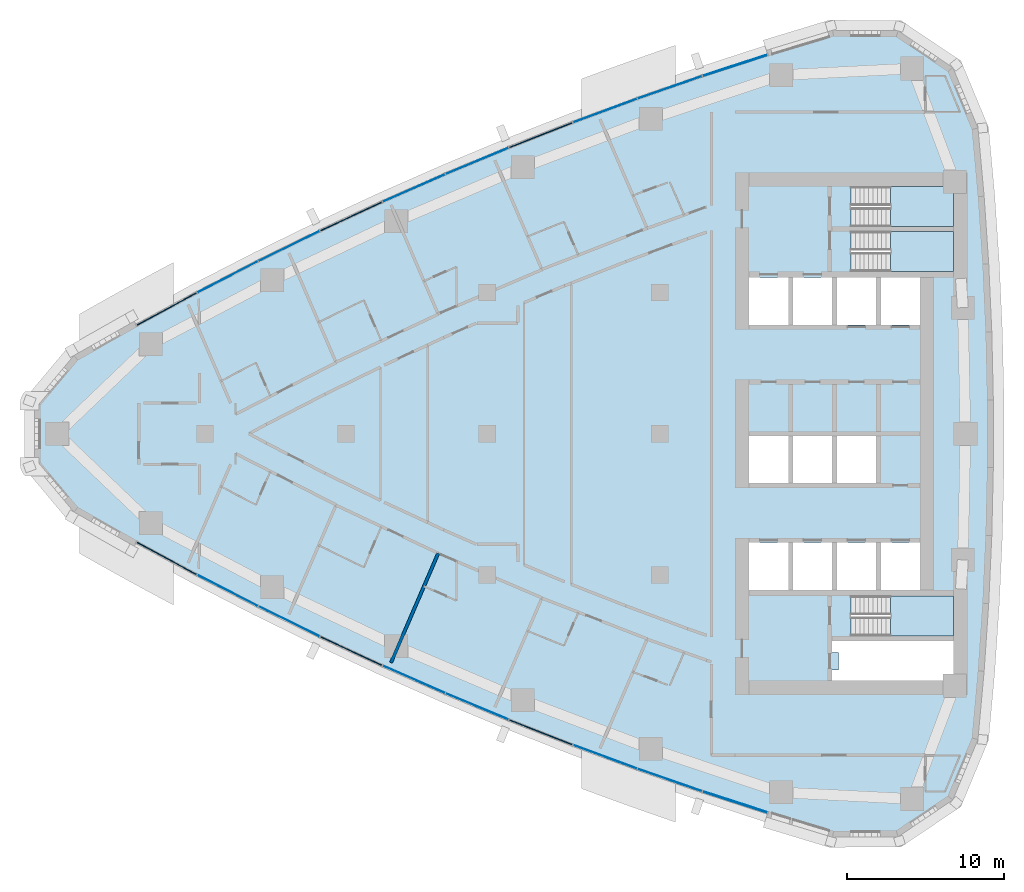
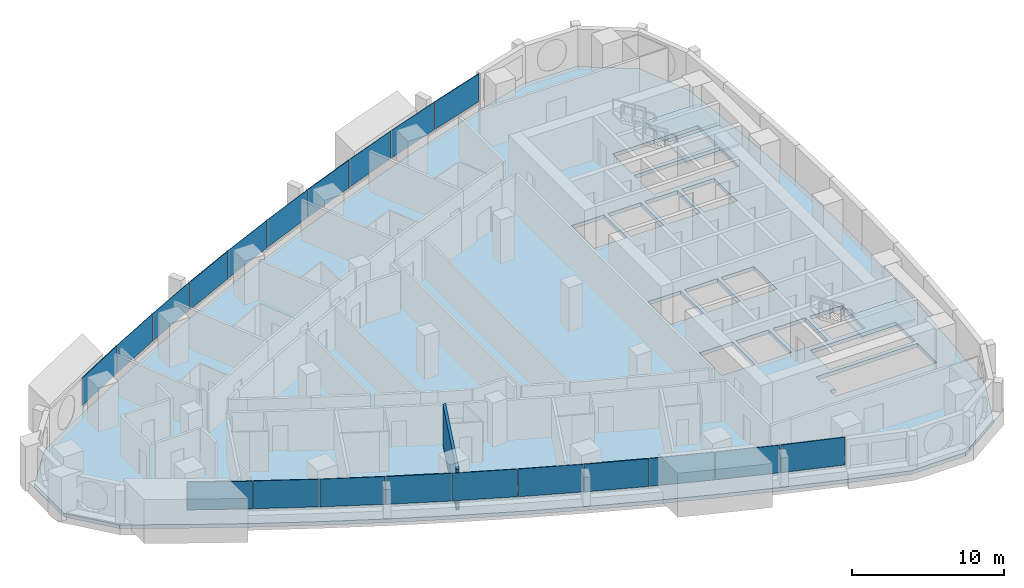
# One storey, part 7 of 17: 20 plates, 4 slabs, 1 wall, 1 opening, 13 elements without a shape of their own.
"""IFC4 building model written with IfcOpenShell, lengths in metres."""

from ifc_helpers import new_model, si_unit, direction, frame, frame_2d, origin, origin_2d, place, context, subcontext, project, spatial, polyline, rectangle, outline, extrude, material, layer, layer_set, type_object, element, aggregate, save


model = new_model("IFC4")

# Units and contexts
model_context = context("Model", 3, precision=1e-05, world=origin(), true_north=direction((0.0, 1.0)))
body_context = subcontext(model_context, "Body", "Model", "MODEL_VIEW")
ifc_project = project(units=[si_unit("LENGTHUNIT", "METRE"), si_unit("AREAUNIT", "SQUARE_METRE"), si_unit("VOLUMEUNIT", "CUBIC_METRE"), si_unit("PLANEANGLEUNIT", "RADIAN"), si_unit("MASSUNIT", "GRAM", prefix="KILO")], contexts=[model_context])

# Site, building, storey
site_placement = place(None, origin())
site = spatial("IfcSite", under=ifc_project, at=site_placement, CompositionType="ELEMENT")
building_placement = place(site_placement, origin())
building = spatial("IfcBuilding", under=site, at=building_placement, Name="Ostrand Prow Hotel Tower", CompositionType="ELEMENT")
storey_placement = place(building_placement, frame((0.0, 0.0, 140.85009765625)))
storey = spatial("IfcBuildingStorey", under=building, at=storey_placement, Name="L34", CompositionType="ELEMENT", Elevation=140.85009765625)

# Curtain wall, plate
ifc_material_1 = material(Name="Insulated glass in bronze anodised frame", Category="glass")
ifc_layer_1 = layer(ifc_material_1, 0.199951171875)
ifc_layer_set_1 = layer_set([ifc_layer_1], Name="Insulated glass in bronze anodised frame")
curtain_wall_type = type_object("IfcCurtainWallType", Name="Strip curtain wall, fritted glass over bronze spandrel", PredefinedType="NOTDEFINED", material=ifc_layer_set_1)
curtain_wall_1_placement = place(storey_placement, origin())
curtain_wall_1 = element("IfcCurtainWall", 1, at=curtain_wall_1_placement, inside=storey, type_object=curtain_wall_type, Name="CW1 run CWS1", PredefinedType="NOTDEFINED")
ifc_material_2 = material(Name="Ceramic-fritted glass", Category="glass")
ifc_layer_2 = layer(ifc_material_2, 0.031982421875)
ifc_layer_set_2 = layer_set([ifc_layer_2], Name="Ceramic-fritted glass")
plate_type_1 = type_object("IfcPlateType", Name="Dot-fritted ceramic glass unit 32 mm", PredefinedType="CURTAIN_PANEL", material=ifc_layer_set_2)
plate_1_placement = place(storey_placement, frame((17.45166015625, -9.998046875, 1.02001953125), z_axis=(0.0, 0.0, 1.0), x_axis=(0.889148164146, -0.457619429434, 0.0)))
plate_1 = element("IfcPlate", 2, at=plate_1_placement, type_object=plate_type_1, Name="CW1 PN-D panel 2.2", PredefinedType="CURTAIN_PANEL", context=body_context, shape_type="SweptSolid", body=[
    extrude(rectangle(XDim=4.326171875, YDim=0.031982421875, at=origin_2d()), origin(), (0.0, 0.0, 1.0), 2.22998046875),
])

curtain_wall_2_placement = place(storey_placement, origin())
curtain_wall_2 = element("IfcCurtainWall", 3, at=curtain_wall_2_placement, inside=storey, type_object=curtain_wall_type, Name="CW1 run CWS2", PredefinedType="NOTDEFINED")
plate_2_placement = place(storey_placement, frame((21.371337890625, -11.9658203125, 1.02001953125), z_axis=(0.0, 0.0, 1.0), x_axis=(0.898164975061, -0.439658592061, 0.0)))
plate_2 = element("IfcPlate", 4, at=plate_2_placement, type_object=plate_type_1, Name="CW1 PN-D panel 1.2", PredefinedType="CURTAIN_PANEL", context=body_context, shape_type="SweptSolid", body=[
    extrude(rectangle(XDim=4.326171875, YDim=0.031982421875, at=origin_2d()), origin(), (0.0, 0.0, 1.0), 2.22998046875),
])

# Curtain wall, plates
curtain_wall_3_placement = place(storey_placement, origin())
curtain_wall_3 = element("IfcCurtainWall", 5, at=curtain_wall_3_placement, inside=storey, type_object=curtain_wall_type, Name="CW1 run CWS3", PredefinedType="NOTDEFINED")
plate_3_placement = place(storey_placement, frame((29.3251953125, -15.6630859375, 1.02001953125), z_axis=(0.0, 0.0, 1.0), x_axis=(0.915106105993, -0.403213113347, 0.0)))
plate_3 = element("IfcPlate", 6, at=plate_3_placement, type_object=plate_type_1, Name="CW1 PN-D panel 1.2", PredefinedType="CURTAIN_PANEL", context=body_context, shape_type="SweptSolid", body=[
    extrude(rectangle(XDim=4.326171875, YDim=0.031982421875, at=origin_2d()), origin(), (0.0, 0.0, 1.0), 2.22998046875),
])
plate_4_placement = place(storey_placement, frame((33.3564453125, -17.39111328125, 1.02001953125), z_axis=(0.0, 0.0, 1.0), x_axis=(0.92302364777, -0.384743220418, 0.0)))
plate_4 = element("IfcPlate", 7, at=plate_4_placement, type_object=plate_type_1, Name="CW1 PN-D panel 2.2", PredefinedType="CURTAIN_PANEL", context=body_context, shape_type="SweptSolid", body=[
    extrude(rectangle(XDim=4.326171875, YDim=0.031982421875, at=origin_2d()), origin(), (0.0, 0.0, 1.0), 2.22998046875),
])
aggregate(curtain_wall_3, [plate_3, plate_4])

# Curtain wall, plate
curtain_wall_4_placement = place(storey_placement, origin())
curtain_wall_4 = element("IfcCurtainWall", 8, at=curtain_wall_4_placement, inside=storey, type_object=curtain_wall_type, Name="CW1 run CWS4", PredefinedType="NOTDEFINED")
plate_5_placement = place(storey_placement, frame((41.518798828125, -20.6025390625, 1.02001953125), z_axis=(0.0, 0.0, 1.0), x_axis=(0.937738678558, -0.347341576459, 0.0)))
plate_5 = element("IfcPlate", 9, at=plate_5_placement, type_object=plate_type_1, Name="CW1 PN-D panel 2.2", PredefinedType="CURTAIN_PANEL", context=body_context, shape_type="SweptSolid", body=[
    extrude(rectangle(XDim=4.326171875, YDim=0.031982421875, at=origin_2d()), origin(), (0.0, 0.0, 1.0), 2.22998046875),
])

curtain_wall_5_placement = place(storey_placement, origin())
curtain_wall_5 = element("IfcCurtainWall", 10, at=curtain_wall_5_placement, inside=storey, type_object=curtain_wall_type, Name="CW1 run CWS5", PredefinedType="NOTDEFINED")
plate_6_placement = place(storey_placement, frame((45.646484375, -22.08447265625, 1.02001953125), z_axis=(0.0, 0.0, 1.0), x_axis=(0.944528947293, -0.328428177424, 0.0)))
plate_6 = element("IfcPlate", 11, at=plate_6_placement, type_object=plate_type_1, Name="CW1 PN-D panel 1.2", PredefinedType="CURTAIN_PANEL", context=body_context, shape_type="SweptSolid", body=[
    extrude(rectangle(XDim=4.326171875, YDim=0.031982421875, at=origin_2d()), origin(), (0.0, 0.0, 1.0), 2.22998046875),
])

curtain_wall_6_placement = place(storey_placement, origin())
curtain_wall_6 = element("IfcCurtainWall", 12, at=curtain_wall_6_placement, inside=storey, type_object=curtain_wall_type, Name="CW1 run CWN1", PredefinedType="NOTDEFINED")
plate_7_placement = place(storey_placement, frame((45.646484375, 22.08447265625, 1.02001953125), z_axis=(0.0, 0.0, 1.0), x_axis=(-0.944528947293, -0.328428177424, 0.0)))
plate_7 = element("IfcPlate", 13, at=plate_7_placement, type_object=plate_type_1, Name="CW1 PN-D panel 2.2", PredefinedType="CURTAIN_PANEL", context=body_context, shape_type="SweptSolid", body=[
    extrude(rectangle(XDim=4.326171875, YDim=0.031982421875, at=origin_2d()), origin(), (0.0, 0.0, 1.0), 2.22998046875),
])

curtain_wall_7_placement = place(storey_placement, origin())
curtain_wall_7 = element("IfcCurtainWall", 14, at=curtain_wall_7_placement, inside=storey, type_object=curtain_wall_type, Name="CW1 run CWN2", PredefinedType="NOTDEFINED")
plate_8_placement = place(storey_placement, frame((41.518798828125, 20.6025390625, 1.02001953125), z_axis=(0.0, 0.0, 1.0), x_axis=(-0.937738678558, -0.347341576459, 0.0)))
plate_8 = element("IfcPlate", 15, at=plate_8_placement, type_object=plate_type_1, Name="CW1 PN-D panel 1.2", PredefinedType="CURTAIN_PANEL", context=body_context, shape_type="SweptSolid", body=[
    extrude(rectangle(XDim=4.326171875, YDim=0.031982421875, at=origin_2d()), origin(), (0.0, 0.0, 1.0), 2.22998046875),
])

# Curtain wall, plates
curtain_wall_8_placement = place(storey_placement, origin())
curtain_wall_8 = element("IfcCurtainWall", 16, at=curtain_wall_8_placement, inside=storey, type_object=curtain_wall_type, Name="CW1 run CWN3", PredefinedType="NOTDEFINED")
plate_9_placement = place(storey_placement, frame((33.3564453125, 17.39111328125, 1.02001953125), z_axis=(0.0, 0.0, 1.0), x_axis=(-0.92302364777, -0.384743220418, 0.0)))
plate_9 = element("IfcPlate", 17, at=plate_9_placement, type_object=plate_type_1, Name="CW1 PN-D panel 1.2", PredefinedType="CURTAIN_PANEL", context=body_context, shape_type="SweptSolid", body=[
    extrude(rectangle(XDim=4.326171875, YDim=0.031982421875, at=origin_2d()), origin(), (0.0, 0.0, 1.0), 2.22998046875),
])
plate_10_placement = place(storey_placement, frame((29.3251953125, 15.6630859375, 1.02001953125), z_axis=(0.0, 0.0, 1.0), x_axis=(-0.915106105993, -0.403213113347, 0.0)))
plate_10 = element("IfcPlate", 18, at=plate_10_placement, type_object=plate_type_1, Name="CW1 PN-D panel 2.2", PredefinedType="CURTAIN_PANEL", context=body_context, shape_type="SweptSolid", body=[
    extrude(rectangle(XDim=4.326171875, YDim=0.031982421875, at=origin_2d()), origin(), (0.0, 0.0, 1.0), 2.22998046875),
])
aggregate(curtain_wall_8, [plate_9, plate_10])

# Curtain wall, plate
curtain_wall_9_placement = place(storey_placement, origin())
curtain_wall_9 = element("IfcCurtainWall", 19, at=curtain_wall_9_placement, inside=storey, type_object=curtain_wall_type, Name="CW1 run CWN4", PredefinedType="NOTDEFINED")
plate_11_placement = place(storey_placement, frame((21.371337890625, 11.9658203125, 1.02001953125), z_axis=(0.0, 0.0, 1.0), x_axis=(-0.898164975061, -0.439658592061, 0.0)))
plate_11 = element("IfcPlate", 20, at=plate_11_placement, type_object=plate_type_1, Name="CW1 PN-D panel 2.2", PredefinedType="CURTAIN_PANEL", context=body_context, shape_type="SweptSolid", body=[
    extrude(rectangle(XDim=4.326171875, YDim=0.031982421875, at=origin_2d()), origin(), (0.0, 0.0, 1.0), 2.22998046875),
])

curtain_wall_10_placement = place(storey_placement, origin())
curtain_wall_10 = element("IfcCurtainWall", 21, at=curtain_wall_10_placement, inside=storey, type_object=curtain_wall_type, Name="CW1 run CWN5", PredefinedType="NOTDEFINED")
plate_12_placement = place(storey_placement, frame((17.45166015625, 9.998046875, 1.02001953125), z_axis=(0.0, 0.0, 1.0), x_axis=(-0.889148164146, -0.457619429434, 0.0)))
plate_12 = element("IfcPlate", 22, at=plate_12_placement, type_object=plate_type_1, Name="CW1 PN-D panel 1.2", PredefinedType="CURTAIN_PANEL", context=body_context, shape_type="SweptSolid", body=[
    extrude(rectangle(XDim=4.326171875, YDim=0.031982421875, at=origin_2d()), origin(), (0.0, 0.0, 1.0), 2.22998046875),
])

# Plate
ifc_material_3 = material(Name="Fritted glass in bronze vent frame", Category="glass")
ifc_layer_3 = layer(ifc_material_3, 0.06005859375)
ifc_layer_set_3 = layer_set([ifc_layer_3], Name="Fritted glass in bronze vent frame")
plate_type_2 = type_object("IfcPlateType", Name="Operable vent panel 60 mm", PredefinedType="CURTAIN_PANEL", material=ifc_layer_set_3)
plate_13_placement = place(storey_placement, frame((13.572509765625, -7.951904296875, 1.02001953125), z_axis=(0.0, 0.0, 1.0), x_axis=(0.879773060847, -0.475393901316, 0.0)))
plate_13 = element("IfcPlate", 23, at=plate_13_placement, type_object=plate_type_2, Name="CW1 PN-O panel 1.2", PredefinedType="CURTAIN_PANEL", context=body_context, shape_type="SweptSolid", body=[
    extrude(rectangle(XDim=4.326171875, YDim=0.06005859375, at=origin_2d()), origin(), (0.0, 0.0, 1.0), 2.22998046875),
])

aggregate(curtain_wall_1, [plate_13, plate_1])

plate_14_placement = place(storey_placement, frame((25.329833984375, -13.8544921875, 1.02001953125), z_axis=(0.0, 0.0, 1.0), x_axis=(0.906818286337, -0.421521761673, 0.0)))
plate_14 = element("IfcPlate", 24, at=plate_14_placement, type_object=plate_type_2, Name="CW1 PN-O panel 2.2", PredefinedType="CURTAIN_PANEL", context=body_context, shape_type="SweptSolid", body=[
    extrude(rectangle(XDim=4.326171875, YDim=0.06005859375, at=origin_2d()), origin(), (0.0, 0.0, 1.0), 2.22998046875),
])

aggregate(curtain_wall_2, [plate_2, plate_14])

plate_15_placement = place(storey_placement, frame((37.42138671875, -19.037841796875, 1.02001953125), z_axis=(0.0, 0.0, 1.0), x_axis=(0.930569089059, -0.366116334636, 0.0)))
plate_15 = element("IfcPlate", 25, at=plate_15_placement, type_object=plate_type_2, Name="CW1 PN-O panel 1.2", PredefinedType="CURTAIN_PANEL", context=body_context, shape_type="SweptSolid", body=[
    extrude(rectangle(XDim=4.326171875, YDim=0.06005859375, at=origin_2d()), origin(), (0.0, 0.0, 1.0), 2.22998046875),
])

aggregate(curtain_wall_4, [plate_15, plate_5])

plate_16_placement = place(storey_placement, frame((49.803466796875, -23.483154296875, 1.02001953125), z_axis=(0.0, 0.0, 1.0), x_axis=(0.950938332153, -0.309380491373, 0.0)))
plate_16 = element("IfcPlate", 26, at=plate_16_placement, type_object=plate_type_2, Name="CW1 PN-O panel 2.2", PredefinedType="CURTAIN_PANEL", context=body_context, shape_type="SweptSolid", body=[
    extrude(rectangle(XDim=4.326171875, YDim=0.06005859375, at=origin_2d()), origin(), (0.0, 0.0, 1.0), 2.22998046875),
])

aggregate(curtain_wall_5, [plate_6, plate_16])

plate_17_placement = place(storey_placement, frame((49.803466796875, 23.483154296875, 1.02001953125), z_axis=(0.0, 0.0, 1.0), x_axis=(-0.950938332153, -0.309380491373, 0.0)))
plate_17 = element("IfcPlate", 27, at=plate_17_placement, type_object=plate_type_2, Name="CW1 PN-O panel 1.2", PredefinedType="CURTAIN_PANEL", context=body_context, shape_type="SweptSolid", body=[
    extrude(rectangle(XDim=4.326171875, YDim=0.06005859375, at=origin_2d()), origin(), (0.0, 0.0, 1.0), 2.22998046875),
])

aggregate(curtain_wall_6, [plate_17, plate_7])

plate_18_placement = place(storey_placement, frame((37.42138671875, 19.037841796875, 1.02001953125), z_axis=(0.0, 0.0, 1.0), x_axis=(-0.930569089059, -0.366116334636, 0.0)))
plate_18 = element("IfcPlate", 28, at=plate_18_placement, type_object=plate_type_2, Name="CW1 PN-O panel 2.2", PredefinedType="CURTAIN_PANEL", context=body_context, shape_type="SweptSolid", body=[
    extrude(rectangle(XDim=4.326171875, YDim=0.06005859375, at=origin_2d()), origin(), (0.0, 0.0, 1.0), 2.22998046875),
])

aggregate(curtain_wall_7, [plate_8, plate_18])

plate_19_placement = place(storey_placement, frame((25.329833984375, 13.8544921875, 1.02001953125), z_axis=(0.0, 0.0, 1.0), x_axis=(-0.906818286337, -0.421521761673, 0.0)))
plate_19 = element("IfcPlate", 29, at=plate_19_placement, type_object=plate_type_2, Name="CW1 PN-O panel 1.2", PredefinedType="CURTAIN_PANEL", context=body_context, shape_type="SweptSolid", body=[
    extrude(rectangle(XDim=4.326171875, YDim=0.06005859375, at=origin_2d()), origin(), (0.0, 0.0, 1.0), 2.22998046875),
])

aggregate(curtain_wall_9, [plate_19, plate_11])

plate_20_placement = place(storey_placement, frame((13.572509765625, 7.951904296875, 1.02001953125), z_axis=(0.0, 0.0, 1.0), x_axis=(-0.879773060847, -0.475393901316, 0.0)))
plate_20 = element("IfcPlate", 30, at=plate_20_placement, type_object=plate_type_2, Name="CW1 PN-O panel 2.2", PredefinedType="CURTAIN_PANEL", context=body_context, shape_type="SweptSolid", body=[
    extrude(rectangle(XDim=4.326171875, YDim=0.06005859375, at=origin_2d()), origin(), (0.0, 0.0, 1.0), 2.22998046875),
])

aggregate(curtain_wall_10, [plate_12, plate_20])

# Slab, opening
ifc_material_4 = material(Name="Concrete C40/50", Category="concrete")
ifc_layer_4 = layer(ifc_material_4, 0.300048828125)
ifc_layer_set_4 = layer_set([ifc_layer_4], Name="Concrete C40/50")
slab_type_1 = type_object("IfcSlabType", Name="PT flat plate 300 C40/50", PredefinedType="FLOOR", material=ifc_layer_set_4)
slab_1_placement = place(storey_placement, frame((0.0, 0.0, -0.300048828125)))
slab_1 = element("IfcSlab", 31, at=slab_1_placement, inside=storey, type_object=slab_type_1, Name="Floor slab L34-1", PredefinedType="FLOOR", context=body_context, shape_type="SweptSolid", body=[
    extrude(outline(polyline([(7.658203125, 4.952880859375), (11.51611328125, 7.138916015625), (15.37939453125, 9.2265625), (19.283935546875, 11.236083984375), (23.228271484375, 13.166748046875), (27.210205078125, 15.017822265625), (31.22900390625, 16.788330078125), (35.2822265625, 18.47802734375), (39.36865234375, 20.085693359375), (43.486572265625, 21.611083984375), (47.63427734375, 23.05322265625), (51.810302734375, 24.411865234375), (56.046630859375, 25.696533203125), (60.193115234375, 25.6640625), (63.664306640625, 23.328125), (65.256103515625, 19.498779296875), (65.650390625, 15.148681640625), (65.944091796875, 10.825927734375), (66.139892578125, 6.497802734375), (66.23779296875, 2.166259765625), (66.23779296875, -2.166259765625), (66.139892578125, -6.497802734375), (65.944091796875, -10.825927734375), (65.650390625, -15.148681640625), (65.256103515625, -19.498779296875), (63.664306640625, -23.328125), (60.193115234375, -25.6640625), (56.046630859375, -25.696533203125), (51.810302734375, -24.411865234375), (47.63427734375, -23.05322265625), (43.486572265625, -21.611083984375), (39.36865234375, -20.085693359375), (35.2822265625, -18.47802734375), (31.22900390625, -16.788330078125), (27.210205078125, -15.017822265625), (23.228271484375, -13.166748046875), (19.283935546875, -11.236083984375), (15.37939453125, -9.2265625), (11.51611328125, -7.138916015625), (7.658203125, -4.952880859375), (5.16064453125, -1.968505859375), (5.16064453125, 1.968505859375), (7.658203125, 4.952880859375)]), holes=[polyline([(50.699951171875, 6.949951171875), (53.199951171875, 6.949951171875), (53.199951171875, 9.949951171875), (50.699951171875, 9.949951171875), (50.699951171875, 6.949951171875)]), polyline([(53.5, 6.949951171875), (56.0, 6.949951171875), (56.0, 9.949951171875), (53.5, 9.949951171875), (53.5, 6.949951171875)]), polyline([(56.300048828125, 6.949951171875), (58.800048828125, 6.949951171875), (58.800048828125, 9.949951171875), (56.300048828125, 9.949951171875), (56.300048828125, 6.949951171875)]), polyline([(59.10009765625, 6.949951171875), (61.60009765625, 6.949951171875), (61.60009765625, 9.949951171875), (59.10009765625, 9.949951171875), (59.10009765625, 6.949951171875)]), polyline([(50.699951171875, -3.14990234375), (53.199951171875, -3.14990234375), (53.199951171875, -0.14990234375), (50.699951171875, -0.14990234375), (50.699951171875, -3.14990234375)]), polyline([(53.5, -3.14990234375), (56.0, -3.14990234375), (56.0, -0.14990234375), (53.5, -0.14990234375), (53.5, -3.14990234375)]), polyline([(56.300048828125, -3.14990234375), (58.800048828125, -3.14990234375), (58.800048828125, -0.14990234375), (56.300048828125, -0.14990234375), (56.300048828125, -3.14990234375)]), polyline([(50.699951171875, -9.949951171875), (53.199951171875, -9.949951171875), (53.199951171875, -6.949951171875), (50.699951171875, -6.949951171875), (50.699951171875, -9.949951171875)]), polyline([(53.5, -9.949951171875), (56.0, -9.949951171875), (56.0, -6.949951171875), (53.5, -6.949951171875), (53.5, -9.949951171875)]), polyline([(56.300048828125, -9.949951171875), (58.800048828125, -9.949951171875), (58.800048828125, -6.949951171875), (56.300048828125, -6.949951171875), (56.300048828125, -9.949951171875)]), polyline([(59.10009765625, -9.949951171875), (61.60009765625, -9.949951171875), (61.60009765625, -6.949951171875), (59.10009765625, -6.949951171875), (59.10009765625, -9.949951171875)]), polyline([(57.200927734375, 10.35107421875), (57.200927734375, 12.89892578125), (63.718994140625, 12.89892578125), (63.718994140625, 10.35107421875), (57.200927734375, 10.35107421875)]), polyline([(57.200927734375, 13.200927734375), (57.200927734375, 15.7490234375), (63.718994140625, 15.7490234375), (63.718994140625, 13.200927734375), (57.200927734375, 13.200927734375)]), polyline([(57.200927734375, -12.89892578125), (57.200927734375, -10.35107421875), (63.718994140625, -10.35107421875), (63.718994140625, -12.89892578125), (57.200927734375, -12.89892578125)]), polyline([(56.0, -13.199951171875), (63.719970703125, -13.199951171875), (63.719970703125, -15.75), (56.0, -15.75), (56.0, -15.050048828125), (56.39990234375, -15.050048828125), (56.39990234375, -13.949951171875), (56.0, -13.949951171875), (56.0, -13.199951171875)])]), origin(), (0.0, 0.0, 1.0), 0.300048828125),
])
opening_placement = place(slab_1_placement, origin())
element("IfcOpeningElement", 32, at=opening_placement, cuts=slab_1, Name="Shaft opening 1", PredefinedType="OPENING", context=body_context, shape_type="SweptSolid", body=[
    extrude(outline(polyline([(56.0, -13.199951171875), (63.719970703125, -13.199951171875), (63.719970703125, -15.75), (56.0, -15.75), (56.0, -15.050048828125), (56.39990234375, -15.050048828125), (56.39990234375, -13.949951171875), (56.0, -13.949951171875), (56.0, -13.199951171875)])), origin(), (0.0, 0.0, 1.0), 0.300048828125),
])

# Stair, slab
ifc_material_5 = material(Name="Concrete C40/50", Category="concrete")
stair_type = type_object("IfcStairType", Name="Exit stair 1200 upper zone", PredefinedType="HALF_TURN_STAIR", material=ifc_material_5)
stair_1_placement = place(storey_placement, origin())
stair_1 = element("IfcStair", 33, at=stair_1_placement, inside=storey, type_object=stair_type, Name="L34 ST1C", PredefinedType="HALF_TURN_STAIR")
ifc_material_6 = material(Name="Concrete C40/50", Category="concrete")
ifc_layer_5 = layer(ifc_material_6, 0.199951171875)
ifc_layer_set_5 = layer_set([ifc_layer_5], Name="Concrete C40/50")
slab_type_2 = type_object("IfcSlabType", Name="Stair landing 200 concrete", PredefinedType="LANDING", material=ifc_layer_set_5)
slab_2_placement = place(storey_placement, frame((0.0, 0.0, 1.574951171875)))
slab_2 = element("IfcSlab", 34, at=slab_2_placement, type_object=slab_type_2, Name="ST1C landing 1", PredefinedType="LANDING", context=body_context, shape_type="SweptSolid", body=[
    extrude(outline(polyline([(59.719970703125, 10.35009765625), (63.719970703125, 10.35009765625), (63.719970703125, 12.89990234375), (59.719970703125, 12.89990234375), (59.719970703125, 10.35009765625)])), origin(), (0.0, 0.0, 1.0), 0.199951171875),
])
aggregate(stair_1, [slab_2])

stair_2_placement = place(storey_placement, origin())
stair_2 = element("IfcStair", 35, at=stair_2_placement, inside=storey, type_object=stair_type, Name="L34 ST3C", PredefinedType="HALF_TURN_STAIR")
slab_3_placement = place(storey_placement, frame((0.0, 0.0, 1.574951171875)))
slab_3 = element("IfcSlab", 36, at=slab_3_placement, type_object=slab_type_2, Name="ST3C landing 1", PredefinedType="LANDING", context=body_context, shape_type="SweptSolid", body=[
    extrude(outline(polyline([(59.719970703125, 13.199951171875), (63.719970703125, 13.199951171875), (63.719970703125, 15.75), (59.719970703125, 15.75), (59.719970703125, 13.199951171875)])), origin(), (0.0, 0.0, 1.0), 0.199951171875),
])
aggregate(stair_2, [slab_3])

stair_3_placement = place(storey_placement, origin())
stair_3 = element("IfcStair", 37, at=stair_3_placement, inside=storey, type_object=stair_type, Name="L34 ST2C", PredefinedType="HALF_TURN_STAIR")
slab_4_placement = place(storey_placement, frame((0.0, 0.0, 1.574951171875)))
slab_4 = element("IfcSlab", 38, at=slab_4_placement, type_object=slab_type_2, Name="ST2C landing 1", PredefinedType="LANDING", context=body_context, shape_type="SweptSolid", body=[
    extrude(outline(polyline([(59.719970703125, -12.89990234375), (63.719970703125, -12.89990234375), (63.719970703125, -10.35009765625), (59.719970703125, -10.35009765625), (59.719970703125, -12.89990234375)])), origin(), (0.0, 0.0, 1.0), 0.199951171875),
])
aggregate(stair_3, [slab_4])

# Wall
ifc_material_7 = material(Name="Plasterboard partition")
ifc_layer_6 = layer(ifc_material_7, 0.199951171875)
ifc_layer_set_6 = layer_set([ifc_layer_6], Name="Plasterboard partition")
wall_type = type_object("IfcWallType", Name="Partition 200 key partition", PredefinedType="PARTITIONING", material=ifc_layer_set_6)
wall_placement = place(storey_placement, frame((27.870361328125, -14.598388671875, 0.0), z_axis=(0.0, 0.0, 1.0), x_axis=(0.395976934703, 0.91826045716, 0.0)))
element("IfcWall", 39, at=wall_placement, inside=storey, type_object=wall_type, Name="KEY PARTITION", PredefinedType="PARTITIONING", context=body_context, shape_type="SweptSolid", body=[
    extrude(rectangle(XDim=7.600341796875, YDim=0.199951171875, at=frame_2d((3.80029296875, 0.0))), origin(), (0.0, 0.0, 1.0), 3.25),
])

save(model, "model.ifc")
